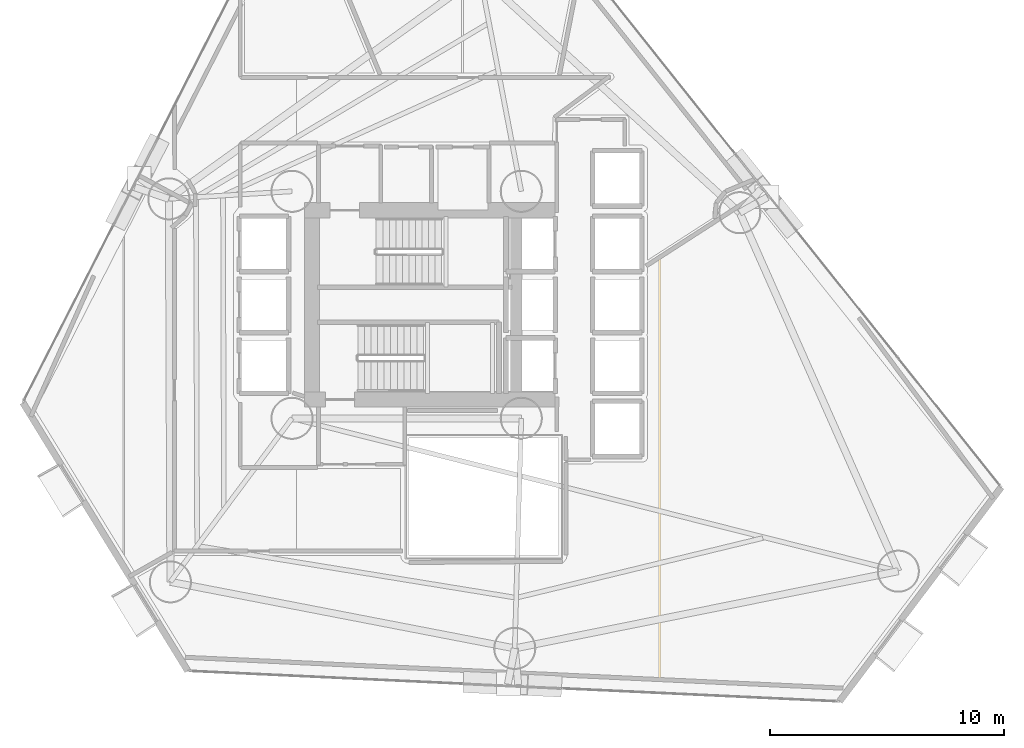
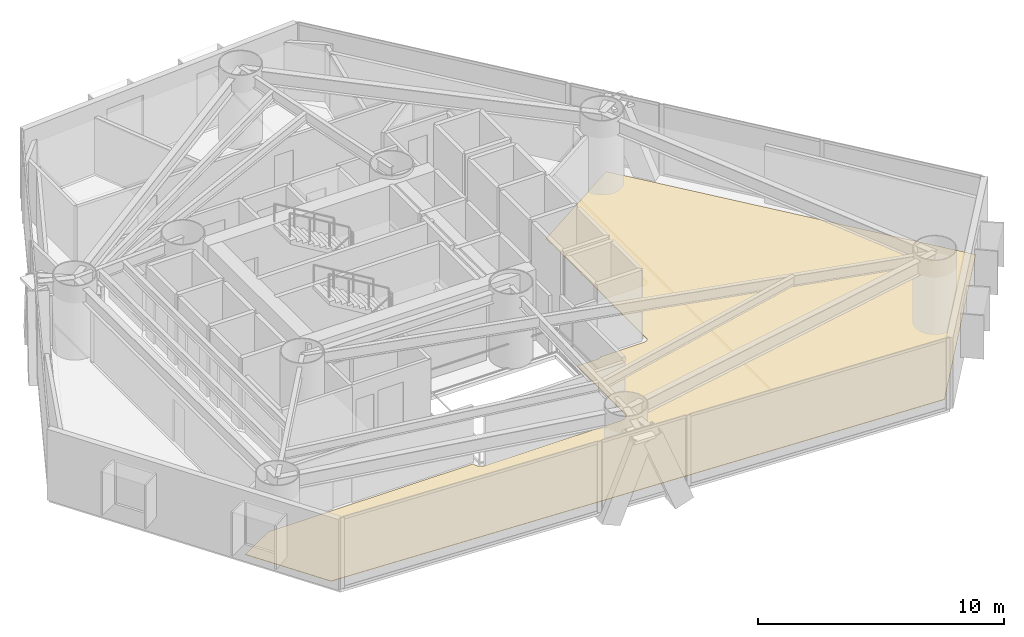
# One storey, part 21 of 23: 1 covering.
"""IFC4 building model written with IfcOpenShell, lengths in metres."""

from ifc_helpers import new_model, si_unit, direction, frame, origin, place, context, subcontext, project, spatial, polyline, outline, extrude, material, layer, layer_set, type_object, element, save


model = new_model("IFC4")

# Units and contexts
model_context = context("Model", 3, precision=1e-05, world=origin(), true_north=direction((0.0, 1.0)))
body_context = subcontext(model_context, "Body", "Model", "MODEL_VIEW")
ifc_project = project(units=[si_unit("LENGTHUNIT", "METRE"), si_unit("AREAUNIT", "SQUARE_METRE"), si_unit("VOLUMEUNIT", "CUBIC_METRE"), si_unit("PLANEANGLEUNIT", "RADIAN"), si_unit("MASSUNIT", "GRAM", prefix="KILO")], contexts=[model_context])

# Site, building, storey
site_placement = place(None, origin())
site = spatial("IfcSite", under=ifc_project, at=site_placement, CompositionType="ELEMENT")
building_placement = place(site_placement, origin())
building = spatial("IfcBuilding", under=site, at=building_placement, Name="Qianvela Tower", CompositionType="ELEMENT")
storey_placement = place(building_placement, frame((0.0, 0.0, 29.39990234375)))
storey = spatial("IfcBuildingStorey", under=building, at=storey_placement, Name="L06", CompositionType="ELEMENT", Elevation=29.39990234375)

# Covering
ifc_material = material(Name="Engineered Acoustic Oak Timber Flooring", Category="wood")
ifc_layer = layer(ifc_material, 0.02001953125)
ifc_layer_set = layer_set([ifc_layer], Name="Engineered Acoustic Oak Timber Flooring")
covering_type = type_object("IfcCoveringType", Name="COV-FLOOR-OAK-20", PredefinedType="FLOORING", material=ifc_layer_set)
covering_placement = place(storey_placement, origin())
element("IfcCovering", 1, at=covering_placement, inside=storey, type_object=covering_type, Name="L06 Finish Flooring Student Tea Pantry L06-02", PredefinedType="FLOORING", context=body_context, shape_type="SweptSolid", body=[
    extrude(outline(polyline([(23.634521484375, 17.989990234375), (33.24609375, 17.989990234375), (33.252197265625, 17.912353515625), (33.25341796875, 17.904296875), (33.25537109375, 17.896240234375), (33.258056640625, 17.888427734375), (33.261474609375, 17.881103515625), (33.31298828125, 17.78466796875), (33.31689453125, 17.77783203125), (33.32177734375, 17.771484375), (33.326904296875, 17.765869140625), (33.332763671875, 17.760498046875), (33.417236328125, 17.691162109375), (33.42431640625, 17.68603515625), (33.431884765625, 17.681640625), (33.440185546875, 17.677978515625), (33.448486328125, 17.675537109375), (33.58056640625, 17.642333984375), (33.5869140625, 17.64111328125), (33.593505859375, 17.640380859375), (33.60009765625, 17.639892578125), (40.0, 17.639892578125), (40.0078125, 17.640380859375), (40.015625, 17.6416015625), (40.023193359375, 17.643310546875), (40.1787109375, 17.690673828125), (40.185546875, 17.693115234375), (40.192138671875, 17.696044921875), (40.198486328125, 17.69970703125), (40.204345703125, 17.70361328125), (40.209716796875, 17.70849609375), (40.21484375, 17.71337890625), (40.30615234375, 17.814208984375), (40.311279296875, 17.8203125), (40.315673828125, 17.826904296875), (40.3193359375, 17.833740234375), (40.322265625, 17.841064453125), (40.324462890625, 17.8486328125), (40.357666015625, 17.980712890625), (40.35888671875, 17.987060546875), (40.359619140625, 17.993408203125), (40.360107421875, 18.0), (40.360107421875, 21.889892578125), (41.367919921875, 21.890380859375), (41.375732421875, 21.890869140625), (41.383544921875, 21.891845703125), (41.39111328125, 21.893798828125), (41.3984375, 21.896484375), (41.405517578125, 21.89990234375), (41.45947265625, 21.9287109375), (41.46630859375, 21.932861328125), (41.472900390625, 21.9375), (41.478759765625, 21.943115234375), (41.48388671875, 21.948974609375), (41.48876953125, 21.955322265625), (41.492919921875, 21.96240234375), (41.49609375, 21.969482421875), (41.498779296875, 21.97705078125), (41.49951171875, 21.97998046875), (43.59375, 21.980712890625), (43.6015625, 21.981201171875), (43.609375, 21.982177734375), (43.616943359375, 21.984130859375), (43.624267578125, 21.98681640625), (43.699462890625, 22.017822265625), (43.70654296875, 22.021240234375), (43.71337890625, 22.025390625), (43.719482421875, 22.02978515625), (43.725341796875, 22.03515625), (43.730712890625, 22.041015625), (43.7353515625, 22.04736328125), (43.780517578125, 22.114990234375), (43.784423828125, 22.12158203125), (43.787841796875, 22.128662109375), (43.79052734375, 22.135986328125), (43.79248046875, 22.1435546875), (43.793701171875, 22.1513671875), (43.7939453125, 22.1591796875), (43.800048828125, 24.599853515625), (43.7998046875, 24.606689453125), (43.798828125, 24.613525390625), (43.79736328125, 24.620361328125), (43.79541015625, 24.626953125), (43.763427734375, 24.7158203125), (43.760498046875, 24.722900390625), (43.7568359375, 24.72998046875), (43.75244140625, 24.736572265625), (43.74755859375, 24.742431640625), (43.741943359375, 24.748046875), (43.736083984375, 24.7529296875), (43.771240234375, 24.795654296875), (43.77587890625, 24.802001953125), (43.77978515625, 24.80859375), (43.783203125, 24.815673828125), (43.785888671875, 24.822998046875), (43.787841796875, 24.83056640625), (43.788818359375, 24.83837890625), (43.789306640625, 24.84619140625), (43.800048828125, 27.2998046875), (43.799560546875, 27.3076171875), (43.798583984375, 27.315673828125), (43.79638671875, 27.323486328125), (43.793701171875, 27.3310546875), (43.7646484375, 27.39990234375), (43.793701171875, 27.468994140625), (43.79638671875, 27.476318359375), (43.79833984375, 27.484130859375), (43.799560546875, 27.491943359375), (43.800048828125, 27.5), (43.800048828125, 29.89990234375), (43.799560546875, 29.907958984375), (43.79833984375, 29.915771484375), (43.79638671875, 29.923583984375), (43.793701171875, 29.93115234375), (43.765625, 29.997802734375), (43.79150390625, 30.051513671875), (43.794189453125, 30.05810546875), (43.79638671875, 30.06494140625), (43.798095703125, 30.072021484375), (43.799072265625, 30.0791015625), (43.79931640625, 30.086181640625), (43.7998046875, 30.344482421875), (48.276611328125, 33.230712890625), (58.348388671875, 20.617431640625), (52.11669921875, 12.36669921875), (24.083984375, 13.682373046875), (22.0048828125, 17.065185546875), (23.634521484375, 17.989990234375)])), origin(), (0.0, 0.0, 1.0), 0.02001953125),
])

save(model, "model.ifc")
